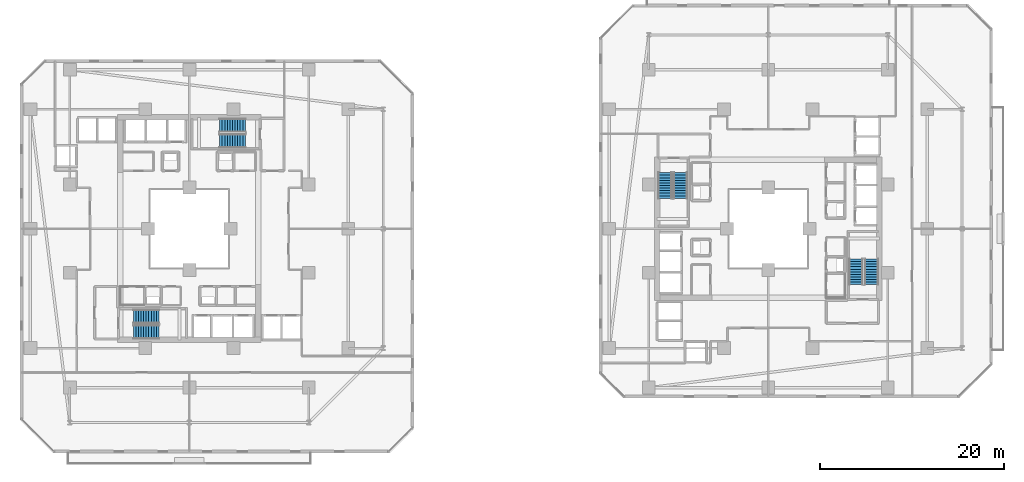
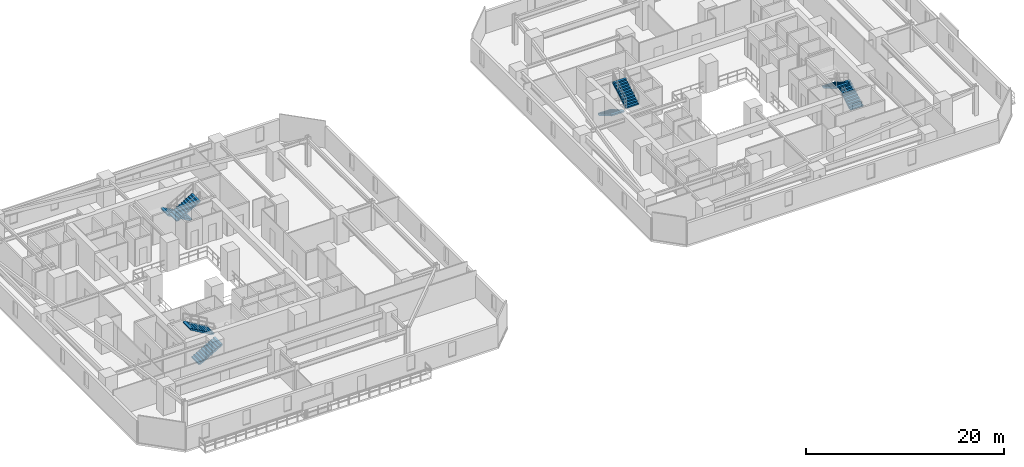
# One storey, part 28 of 34: 8 stair flights, 4 elements without a shape of their own.
"""IFC4 building model written with IfcOpenShell, lengths in metres."""

from ifc_helpers import new_model, si_unit, direction, frame, origin, place, context, subcontext, project, spatial, polyline, outline, extrude, material, type_object, element, aggregate, save


model = new_model("IFC4")

# Units and contexts
model_context = context("Model", 3, precision=1e-05, world=origin(), true_north=direction((0.0, 1.0)))
body_context = subcontext(model_context, "Body", "Model", "MODEL_VIEW")
ifc_project = project(units=[si_unit("LENGTHUNIT", "METRE"), si_unit("AREAUNIT", "SQUARE_METRE"), si_unit("VOLUMEUNIT", "CUBIC_METRE"), si_unit("PLANEANGLEUNIT", "RADIAN"), si_unit("MASSUNIT", "GRAM", prefix="KILO")], contexts=[model_context])

# Site, building, storey
site_placement = place(None, origin())
site = spatial("IfcSite", under=ifc_project, at=site_placement, CompositionType="ELEMENT")
building_placement = place(site_placement, origin())
building = spatial("IfcBuilding", under=site, at=building_placement, Name="Thornwick Lancets Civic Towers", CompositionType="ELEMENT")
storey_placement = place(building_placement, frame((0.0, 0.0, 57.300048828125)))
storey = spatial("IfcBuildingStorey", under=building, at=storey_placement, Name="L14", CompositionType="ELEMENT", Elevation=57.300048828125)

# Stair, stair flights
ifc_material = material(Name="Concrete C40/50", Category="concrete")
stair_type = type_object("IfcStairType", Name="STAIR_DL_3600", PredefinedType="HALF_TURN_STAIR", material=ifc_material)
stair_1_placement = place(storey_placement, origin())
stair_1 = element("IfcStair", 1, at=stair_1_placement, inside=storey, type_object=stair_type, Name="L14 Tower A South Exit Stair ST-A1", PredefinedType="HALF_TURN_STAIR")
stair_flight_type = type_object("IfcStairFlightType", Name="FLIGHT_3600", PredefinedType="STRAIGHT", material=ifc_material)
stair_flight_1_placement = place(storey_placement, frame((19.39990234375, 15.75, 0.0), z_axis=(0.0, 0.0, 1.0), x_axis=(1.0, 0.0, 0.0)))
stair_flight_1 = element("IfcStairFlight", 2, at=stair_flight_1_placement, type_object=stair_flight_type, Name="ST-A1 flight 1", NumberOfRisers=11, NumberOfTreads=10, PredefinedType="STRAIGHT", RiserHeight=0.163636364, TreadLength=0.28, context=body_context, shape_type="SweptSolid", body=[
    extrude(outline(polyline([(0.0, 0.0), (0.0, 0.16357421875), (0.280029296875, 0.16357421875), (0.280029296875, 0.327392578125), (0.56005859375, 0.327392578125), (0.56005859375, 0.490966796875), (0.840087890625, 0.490966796875), (0.840087890625, 0.654541015625), (1.1201171875, 0.654541015625), (1.1201171875, 0.818115234375), (1.39990234375, 0.818115234375), (1.39990234375, 0.98193359375), (1.679931640625, 0.98193359375), (1.679931640625, 1.1455078125), (1.9599609375, 1.1455078125), (1.9599609375, 1.30908203125), (2.239990234375, 1.30908203125), (2.239990234375, 1.47265625), (2.52001953125, 1.47265625), (2.52001953125, 1.636474609375), (2.800048828125, 1.636474609375), (2.800048828125, 1.800048828125), (2.800048828125, 1.462646484375), (0.297119140625, 0.0), (0.0, 0.0)])), frame((0.0, 0.75, 0.0), z_axis=(0.0, -1.0, 0.0), x_axis=(1.0, 0.0, 0.0)), (0.0, 0.0, 1.0), 1.5),
])
stair_flight_2_placement = place(storey_placement, frame((22.199951171875, 17.449951171875, 1.800048828125), z_axis=(0.0, 0.0, 1.0), x_axis=(-1.0, 0.0, 0.0)))
stair_flight_2 = element("IfcStairFlight", 3, at=stair_flight_2_placement, type_object=stair_flight_type, Name="ST-A1 flight 2", NumberOfRisers=11, NumberOfTreads=10, PredefinedType="STRAIGHT", RiserHeight=0.163636364, TreadLength=0.28, context=body_context, shape_type="SweptSolid", body=[
    extrude(outline(polyline([(0.0, 0.0), (0.0, 0.16357421875), (0.280029296875, 0.16357421875), (0.280029296875, 0.327392578125), (0.56005859375, 0.327392578125), (0.56005859375, 0.490966796875), (0.840087890625, 0.490966796875), (0.840087890625, 0.654541015625), (1.1201171875, 0.654541015625), (1.1201171875, 0.818115234375), (1.39990234375, 0.818115234375), (1.39990234375, 0.98193359375), (1.679931640625, 0.98193359375), (1.679931640625, 1.1455078125), (1.9599609375, 1.1455078125), (1.9599609375, 1.30908203125), (2.239990234375, 1.30908203125), (2.239990234375, 1.47265625), (2.52001953125, 1.47265625), (2.52001953125, 1.636474609375), (2.800048828125, 1.636474609375), (2.800048828125, 1.800048828125), (2.800048828125, 1.462646484375), (0.297119140625, 0.0), (0.0, 0.0)])), frame((0.0, 0.75, 0.0), z_axis=(0.0, -1.0, 0.0), x_axis=(1.0, 0.0, 0.0)), (0.0, 0.0, 1.0), 1.5),
])
aggregate(stair_1, [stair_flight_1, stair_flight_2])

stair_2_placement = place(storey_placement, origin())
stair_2 = element("IfcStair", 4, at=stair_2_placement, inside=storey, type_object=stair_type, Name="L14 Tower A North Exit Stair ST-A2", PredefinedType="HALF_TURN_STAIR")
stair_flight_3_placement = place(storey_placement, frame((31.60009765625, 38.25, 0.0), z_axis=(0.0, 0.0, 1.0), x_axis=(-1.0, 0.0, 0.0)))
stair_flight_3 = element("IfcStairFlight", 5, at=stair_flight_3_placement, type_object=stair_flight_type, Name="ST-A2 flight 1", NumberOfRisers=11, NumberOfTreads=10, PredefinedType="STRAIGHT", RiserHeight=0.163636364, TreadLength=0.28, context=body_context, shape_type="SweptSolid", body=[
    extrude(outline(polyline([(0.0, 0.0), (0.0, 0.16357421875), (0.280029296875, 0.16357421875), (0.280029296875, 0.327392578125), (0.56005859375, 0.327392578125), (0.56005859375, 0.490966796875), (0.840087890625, 0.490966796875), (0.840087890625, 0.654541015625), (1.1201171875, 0.654541015625), (1.1201171875, 0.818115234375), (1.39990234375, 0.818115234375), (1.39990234375, 0.98193359375), (1.679931640625, 0.98193359375), (1.679931640625, 1.1455078125), (1.9599609375, 1.1455078125), (1.9599609375, 1.30908203125), (2.239990234375, 1.30908203125), (2.239990234375, 1.47265625), (2.52001953125, 1.47265625), (2.52001953125, 1.636474609375), (2.800048828125, 1.636474609375), (2.800048828125, 1.800048828125), (2.800048828125, 1.462646484375), (0.297119140625, 0.0), (0.0, 0.0)])), frame((0.0, 0.75, 0.0), z_axis=(0.0, -1.0, 0.0), x_axis=(1.0, 0.0, 0.0)), (0.0, 0.0, 1.0), 1.5),
])
stair_flight_4_placement = place(storey_placement, frame((28.800048828125, 36.550048828125, 1.800048828125), z_axis=(0.0, 0.0, 1.0), x_axis=(1.0, 0.0, 0.0)))
stair_flight_4 = element("IfcStairFlight", 6, at=stair_flight_4_placement, type_object=stair_flight_type, Name="ST-A2 flight 2", NumberOfRisers=11, NumberOfTreads=10, PredefinedType="STRAIGHT", RiserHeight=0.163636364, TreadLength=0.28, context=body_context, shape_type="SweptSolid", body=[
    extrude(outline(polyline([(0.0, 0.0), (0.0, 0.16357421875), (0.280029296875, 0.16357421875), (0.280029296875, 0.327392578125), (0.56005859375, 0.327392578125), (0.56005859375, 0.490966796875), (0.840087890625, 0.490966796875), (0.840087890625, 0.654541015625), (1.1201171875, 0.654541015625), (1.1201171875, 0.818115234375), (1.39990234375, 0.818115234375), (1.39990234375, 0.98193359375), (1.679931640625, 0.98193359375), (1.679931640625, 1.1455078125), (1.9599609375, 1.1455078125), (1.9599609375, 1.30908203125), (2.239990234375, 1.30908203125), (2.239990234375, 1.47265625), (2.52001953125, 1.47265625), (2.52001953125, 1.636474609375), (2.800048828125, 1.636474609375), (2.800048828125, 1.800048828125), (2.800048828125, 1.462646484375), (0.297119140625, 0.0), (0.0, 0.0)])), frame((0.0, 0.75, 0.0), z_axis=(0.0, -1.0, 0.0), x_axis=(1.0, 0.0, 0.0)), (0.0, 0.0, 1.0), 1.5),
])
aggregate(stair_2, [stair_flight_3, stair_flight_4])

stair_3_placement = place(storey_placement, origin())
stair_3 = element("IfcStair", 7, at=stair_3_placement, inside=storey, type_object=stair_type, Name="L14 Tower B East Exit Stair ST-B1", PredefinedType="HALF_TURN_STAIR")
stair_flight_5_placement = place(storey_placement, frame((99.75, 20.89990234375, 0.0), z_axis=(0.0, 0.0, 1.0), x_axis=(0.0, 1.0, 0.0)))
stair_flight_5 = element("IfcStairFlight", 8, at=stair_flight_5_placement, type_object=stair_flight_type, Name="ST-B1 flight 1", NumberOfRisers=11, NumberOfTreads=10, PredefinedType="STRAIGHT", RiserHeight=0.163636364, TreadLength=0.28, context=body_context, shape_type="SweptSolid", body=[
    extrude(outline(polyline([(0.0, 0.0), (0.0, 0.16357421875), (0.280029296875, 0.16357421875), (0.280029296875, 0.327392578125), (0.56005859375, 0.327392578125), (0.56005859375, 0.490966796875), (0.840087890625, 0.490966796875), (0.840087890625, 0.654541015625), (1.1201171875, 0.654541015625), (1.1201171875, 0.818115234375), (1.39990234375, 0.818115234375), (1.39990234375, 0.98193359375), (1.679931640625, 0.98193359375), (1.679931640625, 1.1455078125), (1.9599609375, 1.1455078125), (1.9599609375, 1.30908203125), (2.239990234375, 1.30908203125), (2.239990234375, 1.47265625), (2.52001953125, 1.47265625), (2.52001953125, 1.636474609375), (2.800048828125, 1.636474609375), (2.800048828125, 1.800048828125), (2.800048828125, 1.462646484375), (0.297119140625, 0.0), (0.0, 0.0)])), frame((0.0, 0.75, 0.0), z_axis=(0.0, -1.0, 0.0), x_axis=(1.0, 0.0, 0.0)), (0.0, 0.0, 1.0), 1.5),
])
stair_flight_6_placement = place(storey_placement, frame((98.050048828125, 23.699951171875, 1.800048828125), z_axis=(0.0, 0.0, 1.0), x_axis=(0.0, -1.0, 0.0)))
stair_flight_6 = element("IfcStairFlight", 9, at=stair_flight_6_placement, type_object=stair_flight_type, Name="ST-B1 flight 2", NumberOfRisers=11, NumberOfTreads=10, PredefinedType="STRAIGHT", RiserHeight=0.163636364, TreadLength=0.28, context=body_context, shape_type="SweptSolid", body=[
    extrude(outline(polyline([(0.0, 0.0), (0.0, 0.16357421875), (0.280029296875, 0.16357421875), (0.280029296875, 0.327392578125), (0.56005859375, 0.327392578125), (0.56005859375, 0.490966796875), (0.840087890625, 0.490966796875), (0.840087890625, 0.654541015625), (1.1201171875, 0.654541015625), (1.1201171875, 0.818115234375), (1.39990234375, 0.818115234375), (1.39990234375, 0.98193359375), (1.679931640625, 0.98193359375), (1.679931640625, 1.1455078125), (1.9599609375, 1.1455078125), (1.9599609375, 1.30908203125), (2.239990234375, 1.30908203125), (2.239990234375, 1.47265625), (2.52001953125, 1.47265625), (2.52001953125, 1.636474609375), (2.800048828125, 1.636474609375), (2.800048828125, 1.800048828125), (2.800048828125, 1.462646484375), (0.297119140625, 0.0), (0.0, 0.0)])), frame((0.0, 0.75, 0.0), z_axis=(0.0, -1.0, 0.0), x_axis=(1.0, 0.0, 0.0)), (0.0, 0.0, 1.0), 1.5),
])
aggregate(stair_3, [stair_flight_5, stair_flight_6])

stair_4_placement = place(storey_placement, origin())
stair_4 = element("IfcStair", 10, at=stair_4_placement, inside=storey, type_object=stair_type, Name="L14 Tower B West Exit Stair ST-B2", PredefinedType="HALF_TURN_STAIR")
stair_flight_7_placement = place(storey_placement, frame((77.25, 33.10009765625, 0.0), z_axis=(0.0, 0.0, 1.0), x_axis=(0.0, -1.0, 0.0)))
stair_flight_7 = element("IfcStairFlight", 11, at=stair_flight_7_placement, type_object=stair_flight_type, Name="ST-B2 flight 1", NumberOfRisers=11, NumberOfTreads=10, PredefinedType="STRAIGHT", RiserHeight=0.163636364, TreadLength=0.28, context=body_context, shape_type="SweptSolid", body=[
    extrude(outline(polyline([(0.0, 0.0), (0.0, 0.16357421875), (0.280029296875, 0.16357421875), (0.280029296875, 0.327392578125), (0.56005859375, 0.327392578125), (0.56005859375, 0.490966796875), (0.840087890625, 0.490966796875), (0.840087890625, 0.654541015625), (1.1201171875, 0.654541015625), (1.1201171875, 0.818115234375), (1.39990234375, 0.818115234375), (1.39990234375, 0.98193359375), (1.679931640625, 0.98193359375), (1.679931640625, 1.1455078125), (1.9599609375, 1.1455078125), (1.9599609375, 1.30908203125), (2.239990234375, 1.30908203125), (2.239990234375, 1.47265625), (2.52001953125, 1.47265625), (2.52001953125, 1.636474609375), (2.800048828125, 1.636474609375), (2.800048828125, 1.800048828125), (2.800048828125, 1.462646484375), (0.297119140625, 0.0), (0.0, 0.0)])), frame((0.0, 0.75, 0.0), z_axis=(0.0, -1.0, 0.0), x_axis=(1.0, 0.0, 0.0)), (0.0, 0.0, 1.0), 1.5),
])
stair_flight_8_placement = place(storey_placement, frame((78.949951171875, 30.300048828125, 1.800048828125), z_axis=(0.0, 0.0, 1.0), x_axis=(0.0, 1.0, 0.0)))
stair_flight_8 = element("IfcStairFlight", 12, at=stair_flight_8_placement, type_object=stair_flight_type, Name="ST-B2 flight 2", NumberOfRisers=11, NumberOfTreads=10, PredefinedType="STRAIGHT", RiserHeight=0.163636364, TreadLength=0.28, context=body_context, shape_type="SweptSolid", body=[
    extrude(outline(polyline([(0.0, 0.0), (0.0, 0.16357421875), (0.280029296875, 0.16357421875), (0.280029296875, 0.327392578125), (0.56005859375, 0.327392578125), (0.56005859375, 0.490966796875), (0.840087890625, 0.490966796875), (0.840087890625, 0.654541015625), (1.1201171875, 0.654541015625), (1.1201171875, 0.818115234375), (1.39990234375, 0.818115234375), (1.39990234375, 0.98193359375), (1.679931640625, 0.98193359375), (1.679931640625, 1.1455078125), (1.9599609375, 1.1455078125), (1.9599609375, 1.30908203125), (2.239990234375, 1.30908203125), (2.239990234375, 1.47265625), (2.52001953125, 1.47265625), (2.52001953125, 1.636474609375), (2.800048828125, 1.636474609375), (2.800048828125, 1.800048828125), (2.800048828125, 1.462646484375), (0.297119140625, 0.0), (0.0, 0.0)])), frame((0.0, 0.75, 0.0), z_axis=(0.0, -1.0, 0.0), x_axis=(1.0, 0.0, 0.0)), (0.0, 0.0, 1.0), 1.5),
])
aggregate(stair_4, [stair_flight_7, stair_flight_8])

save(model, "model.ifc")
